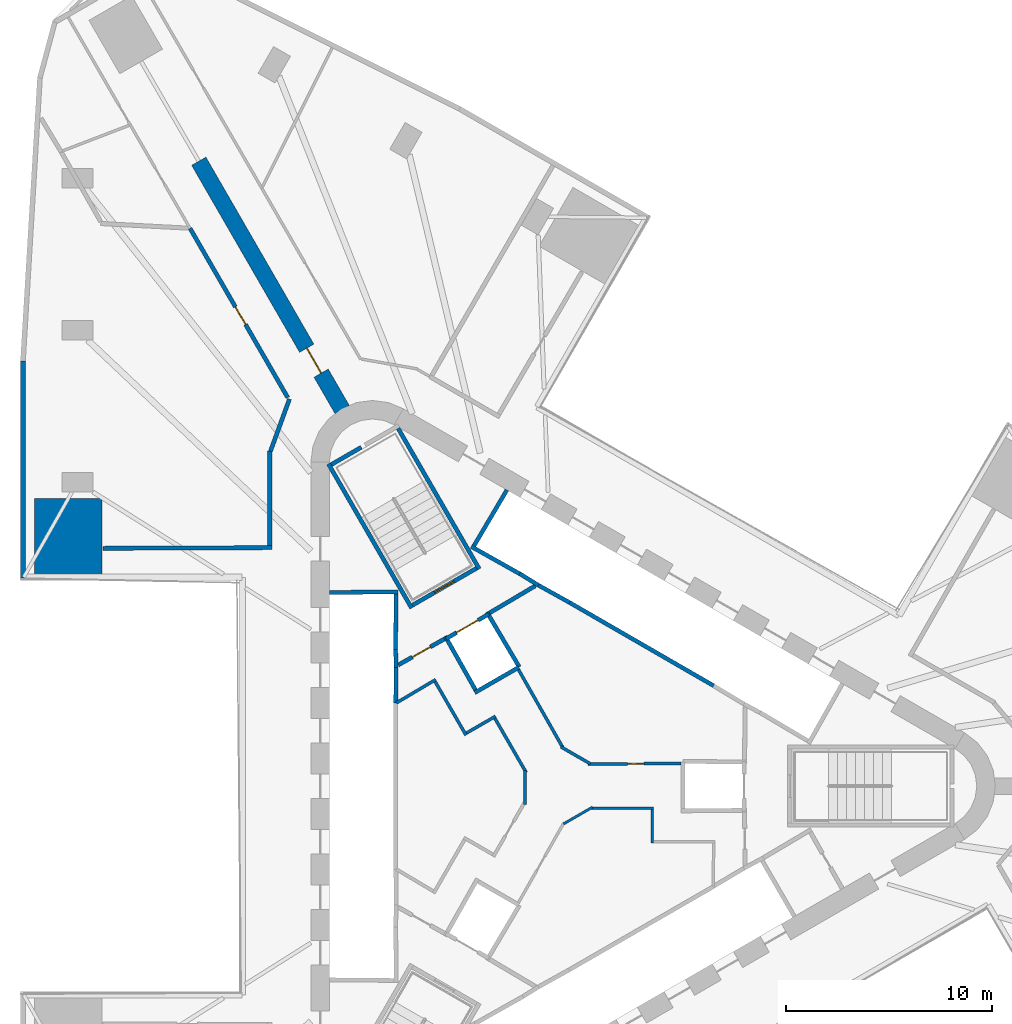
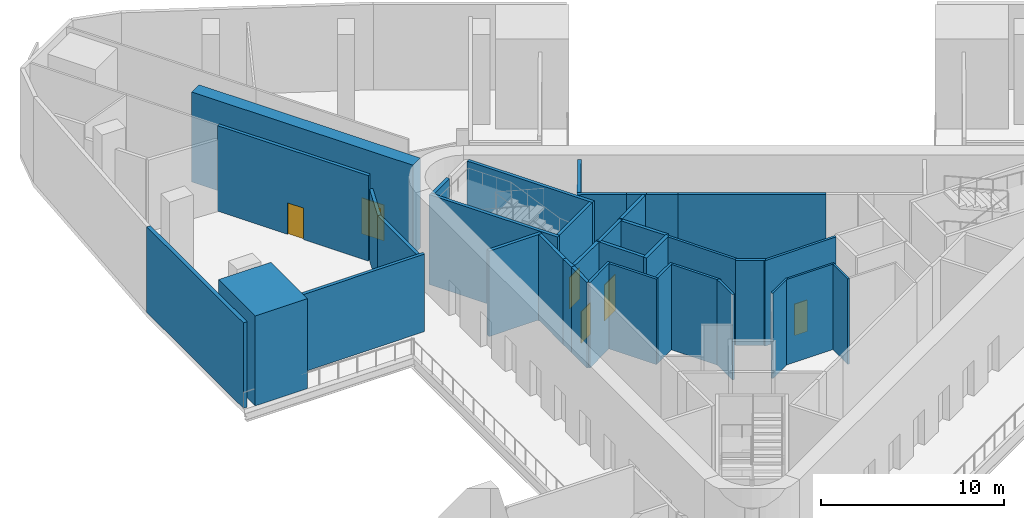
# One storey, part 5 of 11: 37 walls, 6 doors, 6 openings.
"""IFC4 building model written with IfcOpenShell, lengths in metres."""

from ifc_helpers import new_model, si_unit, direction, frame, frame_2d, origin, place, context, subcontext, project, spatial, polyline, rectangle, outline, extrude, material, layer, layer_set, type_object, element, fill, save


model = new_model("IFC4")

# Units and contexts
model_context = context("Model", 3, precision=1e-05, world=origin(), true_north=direction((0.0, 1.0)))
body_context = subcontext(model_context, "Body", "Model", "MODEL_VIEW")
ifc_project = project(units=[si_unit("LENGTHUNIT", "METRE"), si_unit("AREAUNIT", "SQUARE_METRE"), si_unit("VOLUMEUNIT", "CUBIC_METRE"), si_unit("PLANEANGLEUNIT", "RADIAN"), si_unit("MASSUNIT", "GRAM", prefix="KILO")], contexts=[model_context])

# Site, building, storey
site_placement = place(None, origin())
site = spatial("IfcSite", under=ifc_project, at=site_placement, CompositionType="ELEMENT")
building_placement = place(site_placement, origin())
building = spatial("IfcBuilding", under=site, at=building_placement, Name="Tanit Gate Tower", CompositionType="ELEMENT")
storey_placement = place(building_placement, frame((0.0, 0.0, 27.5)))
storey = spatial("IfcBuildingStorey", under=building, at=storey_placement, Name="L04", CompositionType="ELEMENT", Elevation=27.5)

# Wall, opening, door
ifc_material_1 = material(Name="Concrete C60/75", Category="concrete")
ifc_layer_1 = layer(ifc_material_1, 0.800048828125)
ifc_layer_set_1 = layer_set([ifc_layer_1], Name="BUTTRESS FIN 800 C60/75")
wall_type_1 = type_object("IfcWallType", Name="BUTTRESS FIN 800 C60/75", PredefinedType="SHEAR", material=ifc_layer_set_1)
wall_1_placement = place(storey_placement, frame((-10.574951171875, 18.31640625, 0.0), z_axis=(0.0, 0.0, 1.0), x_axis=(-0.499996575515, 0.866027380903, 0.0)))
wall_1 = element("IfcWall", 1, at=wall_1_placement, inside=storey, type_object=wall_type_1, Name="BUTTRESS FIN", PredefinedType="SHEAR", context=body_context, shape_type="SweptSolid", body=[
    extrude(rectangle(XDim=13.9541015625, YDim=0.800048828125, at=frame_2d((6.97705078125, 0.0))), origin(), (0.0, 0.0, 1.0), 6.0),
])
opening_1_placement = place(wall_1_placement, frame((2.050048828125, 0.0, 0.0)))
opening_1 = element("IfcOpeningElement", 2, at=opening_1_placement, cuts=wall_1, Name="Opening P14-04-F-NW-1", PredefinedType="OPENING", context=body_context, shape_type="SweptSolid", body=[
    extrude(rectangle(XDim=1.39990234375, YDim=2.39990234375, at=frame_2d((0.699951171875, 1.199951171875))), frame((0.0, 0.41015625, 0.0), z_axis=(0.0, -1.0, 0.0), x_axis=(1.0, 0.0, 0.0)), (0.0, 0.0, 1.0), 0.820068359375),
])
ifc_material_2 = material(Name="Timber door leaf", Category="wood")
door_type_1 = type_object("IfcDoorType", Name="INT-DOOR-FIN-PAIR-1400", OperationType="NOTDEFINED", PredefinedType="NOTDEFINED", material=ifc_material_2)
door_1_placement = place(opening_1_placement, origin())
door_1 = element("IfcDoor", 3, at=door_1_placement, inside=storey, type_object=door_type_1, Name="Door P14-04-F-NW-1", OperationType="DOUBLE_DOOR_SINGLE_SWING", OverallHeight=2.39990234375, OverallWidth=1.39990234375, PredefinedType="NOTDEFINED", context=body_context, shape_type="SweptSolid", body=[
    extrude(rectangle(XDim=1.39990234375, YDim=2.39990234375, at=frame_2d((0.699951171875, 1.199951171875))), frame((0.0, 0.02490234375, 0.0), z_axis=(0.0, -1.0, 0.0), x_axis=(1.0, 0.0, 0.0)), (0.0, 0.0, 1.0), 0.050048828125),
])
fill(opening_1, door_1)

# Walls
ifc_material_3 = material(Name="Concrete C30/37 with bronze anodised aluminium cladding", Category="concrete")
ifc_layer_2 = layer(ifc_material_3, 0.239990234375)
ifc_layer_set_2 = layer_set([ifc_layer_2], Name="Facade wall bronze clad 240")
wall_type_2 = type_object("IfcWallType", Name="Facade wall bronze clad 240", PredefinedType="SOLIDWALL", material=ifc_layer_set_2)
wall_2_placement = place(storey_placement, frame((-26.10986328125, 20.685302734375, 0.0), z_axis=(0.0, 0.0, 1.0), x_axis=(6.9319284e-05, -0.999999997597, 0.0)))
element("IfcWall", 4, at=wall_2_placement, inside=storey, type_object=wall_type_2, Name="Bronze-clad facade wall L04 W2a", PredefinedType="SOLIDWALL", context=body_context, shape_type="SweptSolid", body=[
    extrude(rectangle(XDim=10.56591796875, YDim=0.239990234375, at=frame_2d((5.282958984375, 0.0))), origin(), (0.0, 0.0, 1.0), 5.699951171875),
])
ifc_material_4 = material(Name="Fire-rated gypsum board partition")
ifc_layer_3 = layer(ifc_material_4, 0.199951171875)
ifc_layer_set_3 = layer_set([ifc_layer_3], Name="INT-WALL-COMPARTMENT")
wall_type_3 = type_object("IfcWallType", Name="INT-WALL-COMPARTMENT", PredefinedType="PARTITIONING", material=ifc_layer_set_3)
wall_3_placement = place(storey_placement, frame((-1.1796875, 9.744384765625, 0.0), z_axis=(0.0, 0.0, 1.0), x_axis=(-0.860615607571, -0.509255118781, 0.0)))
element("IfcWall", 5, at=wall_3_placement, inside=storey, type_object=wall_type_3, Name="Wall Compartment W064", PredefinedType="PARTITIONING", context=body_context, shape_type="SweptSolid", body=[
    extrude(rectangle(XDim=2.58056640625, YDim=0.199951171875, at=frame_2d((1.290283203125, 0.0))), origin(), (0.0, 0.0, 1.0), 5.699951171875),
])

# Wall, opening, door
wall_4_placement = place(storey_placement, frame((-5.600341796875, 7.16015625, 0.0), z_axis=(0.0, 0.0, 1.0), x_axis=(-0.871363259478, -0.490638431059, 0.0)))
wall_4 = element("IfcWall", 6, at=wall_4_placement, inside=storey, type_object=wall_type_3, Name="Wall Compartment W065", PredefinedType="PARTITIONING", context=body_context, shape_type="SweptSolid", body=[
    extrude(rectangle(XDim=2.5810546875, YDim=0.199951171875, at=frame_2d((1.29052734375, 0.0))), origin(), (0.0, 0.0, 1.0), 5.699951171875),
])
opening_2_placement = place(wall_4_placement, frame((0.79052734375, 0.0, 0.0)))
opening_2 = element("IfcOpeningElement", 7, at=opening_2_placement, cuts=wall_4, Name="Opening F10-04-05", PredefinedType="OPENING", context=body_context, shape_type="SweptSolid", body=[
    extrude(rectangle(XDim=1.0, YDim=2.10009765625, at=frame_2d((0.5, 1.050048828125))), frame((0.0, 0.10986328125, 0.0), z_axis=(0.0, -1.0, 0.0), x_axis=(1.0, 0.0, 0.0)), (0.0, 0.0, 1.0), 0.219970703125),
])
ifc_material_5 = material(Name="Fire-rated steel door leaf", Category="steel")
door_type_2 = type_object("IfcDoorType", Name="INT-DOOR-FIRE-1000", OperationType="NOTDEFINED", PredefinedType="USERDEFINED", material=ifc_material_5)
door_2_placement = place(opening_2_placement, origin())
door_2 = element("IfcDoor", 8, at=door_2_placement, inside=storey, type_object=door_type_2, Name="Door F10-04-05", ObjectType="FIRE DOOR", OperationType="SINGLE_SWING_LEFT", OverallHeight=2.10009765625, OverallWidth=1.0, PredefinedType="USERDEFINED", context=body_context, shape_type="SweptSolid", body=[
    extrude(rectangle(XDim=1.0, YDim=2.10009765625, at=frame_2d((0.5, 1.050048828125))), frame((0.0, 0.02490234375, 0.0), z_axis=(0.0, -1.0, 0.0), x_axis=(1.0, 0.0, 0.0)), (0.0, 0.0, 1.0), 0.050048828125),
])
fill(opening_2, door_2)

# Walls
wall_5_placement = place(storey_placement, frame((-14.0, 11.601806640625, 0.0), z_axis=(0.0, 0.0, 1.0), x_axis=(-0.999992515765, -0.003868903516, 0.0)))
element("IfcWall", 9, at=wall_5_placement, inside=storey, type_object=wall_type_3, Name="Wall Compartment W089", PredefinedType="PARTITIONING", context=body_context, shape_type="SweptSolid", body=[
    extrude(rectangle(XDim=8.203369140625, YDim=0.199951171875, at=frame_2d((4.1015625, 0.0))), origin(), (0.0, 0.0, 1.0), 5.169921875),
])
wall_6_placement = place(storey_placement, frame((-14.10009765625, 16.293701171875, 0.0), z_axis=(0.0, 0.0, 1.0), x_axis=(0.0, -1.0, 0.0)))
element("IfcWall", 10, at=wall_6_placement, inside=storey, type_object=wall_type_3, Name="Wall Compartment W090", PredefinedType="PARTITIONING", context=body_context, shape_type="SweptSolid", body=[
    extrude(rectangle(XDim=4.59228515625, YDim=0.199951171875, at=frame_2d((2.296142578125, 0.0))), origin(), (0.0, 0.0, 1.0), 4.8798828125),
])
wall_7_placement = place(storey_placement, frame((-13.140380859375, 18.8310546875, 0.0), z_axis=(0.0, 0.0, 1.0), x_axis=(-0.34195308529, -0.939717025205, 0.0)))
element("IfcWall", 11, at=wall_7_placement, inside=storey, type_object=wall_type_3, Name="Wall Compartment W091", PredefinedType="PARTITIONING", context=body_context, shape_type="SweptSolid", body=[
    extrude(rectangle(XDim=2.70654296875, YDim=0.199951171875, at=frame_2d((1.353271484375, 0.0))), origin(), (0.0, 0.0, 1.0), 4.780029296875),
])

# Wall, opening, door
wall_8_placement = place(storey_placement, frame((-13.2216796875, 18.900390625, 0.0), z_axis=(0.0, 0.0, 1.0), x_axis=(-0.499993569446, 0.866029116435, 0.0)))
wall_8 = element("IfcWall", 12, at=wall_8_placement, inside=storey, type_object=wall_type_3, Name="Wall Compartment W092", PredefinedType="PARTITIONING", context=body_context, shape_type="SweptSolid", body=[
    extrude(rectangle(XDim=9.510009765625, YDim=0.199951171875, at=frame_2d((4.7548828125, 0.0))), origin(), (0.0, 0.0, 1.0), 5.699951171875),
])
opening_3_placement = place(wall_8_placement, frame((4.099609375, 0.0, 0.0)))
opening_3 = element("IfcOpeningElement", 13, at=opening_3_placement, cuts=wall_8, Name="Opening F10-04-16", PredefinedType="OPENING", context=body_context, shape_type="SweptSolid", body=[
    extrude(rectangle(XDim=1.0, YDim=2.10009765625, at=frame_2d((0.5, 1.050048828125))), frame((0.0, 0.10986328125, 0.0), z_axis=(0.0, -1.0, 0.0), x_axis=(1.0, 0.0, 0.0)), (0.0, 0.0, 1.0), 0.219970703125),
])
door_3_placement = place(opening_3_placement, origin())
door_3 = element("IfcDoor", 14, at=door_3_placement, inside=storey, type_object=door_type_2, Name="Door F10-04-16", ObjectType="FIRE DOOR", OperationType="SINGLE_SWING_RIGHT", OverallHeight=2.10009765625, OverallWidth=1.0, PredefinedType="USERDEFINED", context=body_context, shape_type="SweptSolid", body=[
    extrude(rectangle(XDim=1.0, YDim=2.10009765625, at=frame_2d((0.5, 1.050048828125))), frame((0.0, 0.02490234375, 0.0), z_axis=(0.0, -1.0, 0.0), x_axis=(1.0, 0.0, 0.0)), (0.0, 0.0, 1.0), 0.050048828125),
])
fill(opening_3, door_3)

# Walls
ifc_material_6 = material(Name="Gypsum board partition")
ifc_layer_4 = layer(ifc_material_6, 0.1201171875)
ifc_layer_set_4 = layer_set([ifc_layer_4], Name="INT-WALL-PARTITION")
wall_type_4 = type_object("IfcWallType", Name="INT-WALL-PARTITION", PredefinedType="PARTITIONING", material=ifc_layer_set_4)
wall_9_placement = place(storey_placement, frame((1.60546875, -1.02294921875, 0.0), z_axis=(0.0, 0.0, 1.0), x_axis=(-0.866001581989, -0.50004125829, 0.0)))
element("IfcWall", 15, at=wall_9_placement, inside=storey, type_object=wall_type_4, Name="Wall Partition W072", PredefinedType="PARTITIONING", context=body_context, shape_type="SweptSolid", body=[
    extrude(rectangle(XDim=1.635009765625, YDim=0.1201171875, at=frame_2d((0.8173828125, 0.0))), origin(), (0.0, 0.0, 1.0), 5.699951171875),
])
wall_10_placement = place(storey_placement, frame((4.56005859375, -1.074951171875, 0.0), z_axis=(0.0, 0.0, 1.0), x_axis=(-1.0, 0.0, 0.0)))
element("IfcWall", 16, at=wall_10_placement, inside=storey, type_object=wall_type_4, Name="Wall Partition W073", PredefinedType="PARTITIONING", context=body_context, shape_type="SweptSolid", body=[
    extrude(rectangle(XDim=3.02587890625, YDim=0.1201171875, at=frame_2d((1.512939453125, 0.0))), origin(), (0.0, 0.0, 1.0), 5.699951171875),
])
wall_11_placement = place(storey_placement, frame((4.5, -2.760009765625, 0.0), z_axis=(0.0, 0.0, 1.0), x_axis=(0.0, 1.0, 0.0)))
element("IfcWall", 17, at=wall_11_placement, inside=storey, type_object=wall_type_4, Name="Wall Partition W074", PredefinedType="PARTITIONING", context=body_context, shape_type="SweptSolid", body=[
    extrude(rectangle(XDim=1.625, YDim=0.1201171875, at=frame_2d((0.8125, 0.0))), origin(), (0.0, 0.0, 1.0), 5.699951171875),
])

# Wall, opening, door
ifc_material_7 = material(Name="Fire-rated gypsum board partition")
ifc_layer_5 = layer(ifc_material_7, 0.14990234375)
ifc_layer_set_5 = layer_set([ifc_layer_5], Name="INT-WALL-RISER")
wall_type_5 = type_object("IfcWallType", Name="INT-WALL-RISER", PredefinedType="PLUMBINGWALL", material=ifc_layer_set_5)
wall_12_placement = place(storey_placement, frame((1.3876953125, 1.07421875, 0.0), z_axis=(0.0, 0.0, 1.0), x_axis=(0.99997856967, 0.006546770205, 0.0)))
wall_12 = element("IfcWall", 18, at=wall_12_placement, inside=storey, type_object=wall_type_5, Name="Wall Riser W068", PredefinedType="PLUMBINGWALL", context=body_context, shape_type="SweptSolid", body=[
    extrude(rectangle(XDim=4.51220703125, YDim=0.14990234375, at=frame_2d((2.256103515625, 0.0))), origin(), (0.0, 0.0, 1.0), 5.699951171875),
])
opening_4_placement = place(wall_12_placement, frame((1.920166015625, 0.0, 0.0)))
opening_4 = element("IfcOpeningElement", 19, at=opening_4_placement, cuts=wall_12, Name="Opening R08-04-10", PredefinedType="OPENING", context=body_context, shape_type="SweptSolid", body=[
    extrude(rectangle(XDim=0.800048828125, YDim=2.10009765625, at=frame_2d((0.39990234375, 1.050048828125))), frame((0.0, 0.0849609375, 0.0), z_axis=(0.0, -1.0, 0.0), x_axis=(1.0, 0.0, 0.0)), (0.0, 0.0, 1.0), 0.169921875),
])
ifc_material_8 = material(Name="Timber door leaf", Category="wood")
door_type_3 = type_object("IfcDoorType", Name="INT-DOOR-RISER-800", OperationType="NOTDEFINED", PredefinedType="USERDEFINED", material=ifc_material_8)
door_4_placement = place(opening_4_placement, origin())
door_4 = element("IfcDoor", 20, at=door_4_placement, inside=storey, type_object=door_type_3, Name="Door R08-04-10", ObjectType="FIRE DOOR", OperationType="SINGLE_SWING_LEFT", OverallHeight=2.10009765625, OverallWidth=0.800048828125, PredefinedType="USERDEFINED", context=body_context, shape_type="SweptSolid", body=[
    extrude(rectangle(XDim=0.800048828125, YDim=2.10009765625, at=frame_2d((0.39990234375, 1.050048828125))), frame((0.0, 0.02490234375, 0.0), z_axis=(0.0, -1.0, 0.0), x_axis=(1.0, 0.0, 0.0)), (0.0, 0.0, 1.0), 0.050048828125),
])
fill(opening_4, door_4)

# Walls
wall_13_placement = place(storey_placement, frame((0.0625, 1.9140625, 0.0), z_axis=(0.0, 0.0, 1.0), x_axis=(0.866018462269, -0.500012022864, 0.0)))
element("IfcWall", 21, at=wall_13_placement, inside=storey, type_object=wall_type_5, Name="Wall Riser W069", PredefinedType="PLUMBINGWALL", context=body_context, shape_type="SweptSolid", body=[
    extrude(rectangle(XDim=1.654296875, YDim=0.14990234375, at=frame_2d((0.8271484375, 0.0))), origin(), (0.0, 0.0, 1.0), 5.699951171875),
])
wall_14_placement = place(storey_placement, frame((-1.994140625, 5.661376953125, 0.0), z_axis=(0.0, 0.0, 1.0), x_axis=(0.494341211302, -0.869267948798, 0.0)))
element("IfcWall", 22, at=wall_14_placement, inside=storey, type_object=wall_type_5, Name="Wall Riser W070", PredefinedType="PLUMBINGWALL", context=body_context, shape_type="SweptSolid", body=[
    extrude(rectangle(XDim=4.36083984375, YDim=0.14990234375, at=frame_2d((2.180419921875, 0.0))), origin(), (0.0, 0.0, 1.0), 5.699951171875),
])
wall_15_placement = place(storey_placement, frame((-6.023681640625, 5.183349609375, 0.0), z_axis=(0.0, 0.0, 1.0), x_axis=(-0.860126804455, -0.510080268447, 0.0)))
element("IfcWall", 23, at=wall_15_placement, inside=storey, type_object=wall_type_5, Name="Wall Riser W077", PredefinedType="PLUMBINGWALL", context=body_context, shape_type="SweptSolid", body=[
    extrude(rectangle(XDim=2.239501953125, YDim=0.14990234375, at=frame_2d((1.11962890625, 0.0))), origin(), (0.0, 0.0, 1.0), 5.699951171875),
])
wall_16_placement = place(storey_placement, frame((-4.55078125, 2.482177734375, 0.0), z_axis=(0.0, 0.0, 1.0), x_axis=(-0.499990139034, 0.866031096941, 0.0)))
element("IfcWall", 24, at=wall_16_placement, inside=storey, type_object=wall_type_5, Name="Wall Riser W078", PredefinedType="PLUMBINGWALL", context=body_context, shape_type="SweptSolid", body=[
    extrude(rectangle(XDim=3.0, YDim=0.14990234375, at=frame_2d((1.5, 0.0))), origin(), (0.0, 0.0, 1.0), 5.699951171875),
])
wall_17_placement = place(storey_placement, frame((-3.115966796875, 3.397216796875, 0.0), z_axis=(0.0, 0.0, 1.0), x_axis=(-0.866053003207, -0.499952193351, 0.0)))
element("IfcWall", 25, at=wall_17_placement, inside=storey, type_object=wall_type_5, Name="Wall Riser W079", PredefinedType="PLUMBINGWALL", context=body_context, shape_type="SweptSolid", body=[
    extrude(rectangle(XDim=1.625244140625, YDim=0.14990234375, at=frame_2d((0.8125, 0.0))), origin(), (0.0, 0.0, 1.0), 5.699951171875),
])
wall_18_placement = place(storey_placement, frame((-1.623779296875, 0.66259765625, 0.0), z_axis=(0.0, 0.0, 1.0), x_axis=(-0.500035348339, 0.866004994449, 0.0)))
element("IfcWall", 26, at=wall_18_placement, inside=storey, type_object=wall_type_5, Name="Wall Riser W080", PredefinedType="PLUMBINGWALL", context=body_context, shape_type="SweptSolid", body=[
    extrude(rectangle(XDim=3.039306640625, YDim=0.14990234375, at=frame_2d((1.51953125, 0.0))), origin(), (0.0, 0.0, 1.0), 5.699951171875),
])
wall_19_placement = place(storey_placement, frame((-1.688720703125, -0.90478515625, 0.0), z_axis=(0.0, 0.0, 1.0), x_axis=(0.0, 1.0, 0.0)))
element("IfcWall", 27, at=wall_19_placement, inside=storey, type_object=wall_type_5, Name="Wall Riser W081", PredefinedType="PLUMBINGWALL", context=body_context, shape_type="SweptSolid", body=[
    extrude(rectangle(XDim=1.656494140625, YDim=0.14990234375, at=frame_2d((0.828125, 0.0))), origin(), (0.0, 0.0, 1.0), 5.699951171875),
])
ifc_material_9 = material(Name="Gypsum shaft wall system")
ifc_layer_6 = layer(ifc_material_9, 0.199951171875)
ifc_layer_set_6 = layer_set([ifc_layer_6], Name="INT-WALL-SHAFT")
wall_type_6 = type_object("IfcWallType", Name="INT-WALL-SHAFT", PredefinedType="PLUMBINGWALL", material=ifc_layer_set_6)
wall_20_placement = place(storey_placement, frame((-11.199951171875, 9.419921875, 0.0), z_axis=(0.0, 0.0, 1.0), x_axis=(0.999957167047, 0.009255488683, 0.0)))
element("IfcWall", 28, at=wall_20_placement, inside=storey, type_object=wall_type_6, Name="Wall Shaft W001", PredefinedType="PLUMBINGWALL", context=body_context, shape_type="SweptSolid", body=[
    extrude(rectangle(XDim=3.35009765625, YDim=0.199951171875, at=frame_2d((1.675048828125, 0.0))), origin(), (0.0, 0.0, 1.0), 5.699951171875),
])
wall_21_placement = place(storey_placement, frame((-7.951171875, 9.35009765625, 0.0), z_axis=(0.0, 0.0, 1.0), x_axis=(-0.011120469654, -0.999938165666, 0.0)))
element("IfcWall", 29, at=wall_21_placement, inside=storey, type_object=wall_type_6, Name="Wall Shaft W002", PredefinedType="PLUMBINGWALL", context=body_context, shape_type="SweptSolid", body=[
    extrude(rectangle(XDim=2.700439453125, YDim=0.199951171875, at=frame_2d((1.35009765625, 0.0))), origin(), (0.0, 0.0, 1.0), 5.699951171875),
])
wall_22_placement = place(storey_placement, frame((7.497314453125, 4.885986328125, 0.0), z_axis=(0.0, 0.0, 1.0), x_axis=(-0.866030989016, 0.499990325971, 0.0)))
element("IfcWall", 30, at=wall_22_placement, inside=storey, type_object=wall_type_6, Name="Wall Shaft W003", PredefinedType="PLUMBINGWALL", context=body_context, shape_type="SweptSolid", body=[
    extrude(rectangle(XDim=8.099853515625, YDim=0.199951171875, at=frame_2d((4.0498046875, 0.0))), origin(), (0.0, 0.0, 1.0), 5.699951171875),
])
wall_23_placement = place(storey_placement, frame((-7.97705078125, 6.650146484375, 0.0), z_axis=(0.0, 0.0, 1.0), x_axis=(0.030861509705, -0.999523670164, 0.0)))
element("IfcWall", 31, at=wall_23_placement, inside=storey, type_object=wall_type_6, Name="Wall Shaft W004", PredefinedType="PLUMBINGWALL", context=body_context, shape_type="SweptSolid", body=[
    extrude(rectangle(XDim=0.878173828125, YDim=0.199951171875, at=frame_2d((0.43896484375, 0.0))), origin(), (0.0, 0.0, 1.0), 5.699951171875),
])
wall_24_placement = place(storey_placement, frame((-7.94921875, 5.894775390625, 0.0), z_axis=(0.0, 0.0, 1.0), x_axis=(-0.012042535896, -0.999927486035, 0.0)))
element("IfcWall", 32, at=wall_24_placement, inside=storey, type_object=wall_type_6, Name="Wall Shaft W005", PredefinedType="PLUMBINGWALL", context=body_context, shape_type="SweptSolid", body=[
    extrude(rectangle(XDim=1.844970703125, YDim=0.199951171875, at=frame_2d((0.92236328125, 0.0))), origin(), (0.0, 0.0, 1.0), 5.699951171875),
])
wall_25_placement = place(storey_placement, frame((-1.940673828125, 10.338623046875, 0.0), z_axis=(0.0, 0.0, 1.0), x_axis=(0.850216889117, -0.526432561171, 0.0)))
element("IfcWall", 33, at=wall_25_placement, inside=storey, type_object=wall_type_6, Name="Wall Shaft W019", PredefinedType="PLUMBINGWALL", context=body_context, shape_type="SweptSolid", body=[
    extrude(rectangle(XDim=1.078369140625, YDim=0.199951171875, at=frame_2d((0.5390625, 0.0))), origin(), (0.0, 0.0, 1.0), 5.699951171875),
])
wall_26_placement = place(storey_placement, frame((0.482666015625, 8.935791015625, 0.0), z_axis=(0.0, 0.0, 1.0), x_axis=(-0.874269620932, 0.485440655401, 0.0)))
element("IfcWall", 34, at=wall_26_placement, inside=storey, type_object=wall_type_6, Name="Wall Shaft W020", PredefinedType="PLUMBINGWALL", context=body_context, shape_type="SweptSolid", body=[
    extrude(rectangle(XDim=1.8447265625, YDim=0.199951171875, at=frame_2d((0.92236328125, 0.0))), origin(), (0.0, 0.0, 1.0), 5.699951171875),
])
wall_27_placement = place(storey_placement, frame((-4.296142578125, 11.658935546875, 0.0), z_axis=(0.0, 0.0, 1.0), x_axis=(0.871534483978, -0.490334215854, 0.0)))
element("IfcWall", 35, at=wall_27_placement, inside=storey, type_object=wall_type_6, Name="Wall Shaft W021", PredefinedType="PLUMBINGWALL", context=body_context, shape_type="SweptSolid", body=[
    extrude(rectangle(XDim=2.7001953125, YDim=0.199951171875, at=frame_2d((1.35009765625, 0.0))), origin(), (0.0, 0.0, 1.0), 5.699951171875),
])
wall_28_placement = place(storey_placement, frame((-4.158203125, 11.696044921875, 0.0), z_axis=(0.0, 0.0, 1.0), x_axis=(0.508018930956, 0.861345903683, 0.0)))
element("IfcWall", 36, at=wall_28_placement, inside=storey, type_object=wall_type_6, Name="Wall Shaft W022", PredefinedType="PLUMBINGWALL", context=body_context, shape_type="SweptSolid", body=[
    extrude(rectangle(XDim=3.150146484375, YDim=0.199951171875, at=frame_2d((1.5751953125, 0.0))), origin(), (0.0, 0.0, 1.0), 5.699951171875),
])

# Wall, opening, door
wall_29_placement = place(storey_placement, frame((-5.524169921875, 7.168212890625, 0.0), z_axis=(0.0, 0.0, 1.0), x_axis=(0.866024647952, 0.500001309137, 0.0)))
wall_29 = element("IfcWall", 37, at=wall_29_placement, inside=storey, type_object=wall_type_6, Name="Wall Shaft W047", PredefinedType="PLUMBINGWALL", context=body_context, shape_type="SweptSolid", body=[
    extrude(rectangle(XDim=2.39990234375, YDim=0.199951171875, at=frame_2d((1.199951171875, 0.0))), origin(), (0.0, 0.0, 1.0), 5.699951171875),
])
opening_5_placement = place(wall_29_placement, frame((0.60009765625, 0.0, 0.0)))
opening_5 = element("IfcOpeningElement", 38, at=opening_5_placement, cuts=wall_29, Name="Opening LDFL2-L04", PredefinedType="OPENING", context=body_context, shape_type="SweptSolid", body=[
    extrude(rectangle(XDim=1.199951171875, YDim=2.39990234375, at=frame_2d((0.60009765625, 1.199951171875))), frame((0.0, 0.10986328125, 0.0), z_axis=(0.0, -1.0, 0.0), x_axis=(1.0, 0.0, 0.0)), (0.0, 0.0, 1.0), 0.219970703125),
])
ifc_material_10 = material(Name="Stainless steel sliding door leaf", Category="steel")
door_type_4 = type_object("IfcDoorType", Name="INT-DOOR-LANDING-1200", OperationType="NOTDEFINED", PredefinedType="USERDEFINED", material=ifc_material_10)
door_5_placement = place(opening_5_placement, origin())
door_5 = element("IfcDoor", 39, at=door_5_placement, inside=storey, type_object=door_type_4, Name="Door LDFL2-L04", ObjectType="LANDING DOOR", OperationType="SLIDING_TO_LEFT", OverallHeight=2.39990234375, OverallWidth=1.199951171875, PredefinedType="USERDEFINED", context=body_context, shape_type="SweptSolid", body=[
    extrude(rectangle(XDim=1.199951171875, YDim=2.39990234375, at=frame_2d((0.60009765625, 1.199951171875))), frame((0.0, 0.02490234375, 0.0), z_axis=(0.0, -1.0, 0.0), x_axis=(1.0, 0.0, 0.0)), (0.0, 0.0, 1.0), 0.050048828125),
])
fill(opening_5, door_5)

# Walls
wall_30_placement = place(storey_placement, frame((-3.53759765625, 8.46533203125, 0.0), z_axis=(0.0, 0.0, 1.0), x_axis=(0.508647062354, -0.860975125052, 0.0)))
element("IfcWall", 40, at=wall_30_placement, inside=storey, type_object=wall_type_6, Name="Wall Shaft W048", PredefinedType="PLUMBINGWALL", context=body_context, shape_type="SweptSolid", body=[
    extrude(rectangle(XDim=3.10009765625, YDim=0.199951171875, at=frame_2d((1.550048828125, 0.0))), origin(), (0.0, 0.0, 1.0), 5.699951171875),
])
wall_31_placement = place(storey_placement, frame((-1.978515625, 5.785888671875, 0.0), z_axis=(0.0, 0.0, 1.0), x_axis=(-0.866016689309, -0.500015093611, 0.0)))
element("IfcWall", 41, at=wall_31_placement, inside=storey, type_object=wall_type_6, Name="Wall Shaft W049", PredefinedType="PLUMBINGWALL", context=body_context, shape_type="SweptSolid", body=[
    extrude(rectangle(XDim=2.4794921875, YDim=0.199951171875, at=frame_2d((1.23974609375, 0.0))), origin(), (0.0, 0.0, 1.0), 5.699951171875),
])
wall_32_placement = place(storey_placement, frame((-5.5625, 7.29638671875, 0.0), z_axis=(0.0, 0.0, 1.0), x_axis=(0.49134651263, -0.870964180966, 0.0)))
element("IfcWall", 42, at=wall_32_placement, inside=storey, type_object=wall_type_6, Name="Wall Shaft W050", PredefinedType="PLUMBINGWALL", context=body_context, shape_type="SweptSolid", body=[
    extrude(rectangle(XDim=3.000244140625, YDim=0.199951171875, at=frame_2d((1.5, 0.0))), origin(), (0.0, 0.0, 1.0), 5.699951171875),
])
ifc_material_11 = material(Name="Concrete C40/50", Category="concrete")
ifc_layer_7 = layer(ifc_material_11, 0.199951171875)
ifc_layer_set_7 = layer_set([ifc_layer_7], Name="INT-WALL-STAIR")
wall_type_7 = type_object("IfcWallType", Name="INT-WALL-STAIR", PredefinedType="SHEAR", material=ifc_layer_set_7)
wall_33_placement = place(storey_placement, frame((-11.245361328125, 15.677734375, -0.300048828125), z_axis=(0.0, 0.0, 1.0), x_axis=(0.499977274689, -0.866038523851, 0.0)))
element("IfcWall", 43, at=wall_33_placement, inside=storey, type_object=wall_type_7, Name="Wall Stair W042", PredefinedType="SHEAR", context=body_context, shape_type="SweptSolid", body=[
    extrude(rectangle(XDim=8.10009765625, YDim=0.199951171875, at=frame_2d((4.050048828125, 0.0))), origin(), (0.0, 0.0, 1.0), 6.0),
])
wall_34_placement = place(storey_placement, frame((-9.645263671875, 16.486083984375, -0.300048828125), z_axis=(0.0, 0.0, 1.0), x_axis=(-0.866038843867, -0.499976720371, 0.0)))
element("IfcWall", 44, at=wall_34_placement, inside=storey, type_object=wall_type_7, Name="Wall Stair W043", PredefinedType="SHEAR", context=body_context, shape_type="SweptSolid", body=[
    extrude(rectangle(XDim=1.68994140625, YDim=0.199951171875, at=frame_2d((0.844970703125, 0.0))), origin(), (0.0, 0.0, 1.0), 6.0),
])
wall_35_placement = place(storey_placement, frame((-7.8544921875, 17.404541015625, -0.300048828125), z_axis=(0.0, 0.0, 1.0), x_axis=(0.499997992926, -0.866026562566, 0.0)))
element("IfcWall", 45, at=wall_35_placement, inside=storey, type_object=wall_type_7, Name="Wall Stair W045", PredefinedType="SHEAR", context=body_context, shape_type="SweptSolid", body=[
    extrude(rectangle(XDim=7.89990234375, YDim=0.199951171875, at=frame_2d((3.949951171875, 0.0))), origin(), (0.0, 0.0, 1.0), 6.0),
])

# Wall, opening, door
wall_36_placement = place(storey_placement, frame((-7.158935546875, 8.799560546875, -0.300048828125), z_axis=(0.0, 0.0, 1.0), x_axis=(0.866047807691, 0.499961193289, 0.0)))
wall_36 = element("IfcWall", 46, at=wall_36_placement, inside=storey, type_object=wall_type_7, Name="Wall Stair W046", PredefinedType="SHEAR", context=body_context, shape_type="SweptSolid", body=[
    extrude(rectangle(XDim=3.599853515625, YDim=0.199951171875, at=frame_2d((1.7998046875, 0.0))), origin(), (0.0, 0.0, 1.0), 6.0),
])
opening_6_placement = place(wall_36_placement, frame((1.25, 0.0, 0.300048828125)))
opening_6 = element("IfcOpeningElement", 47, at=opening_6_placement, cuts=wall_36, Name="Opening S11-04-04", PredefinedType="OPENING", context=body_context, shape_type="SweptSolid", body=[
    extrude(rectangle(XDim=1.10009765625, YDim=2.10009765625, at=frame_2d((0.550048828125, 1.050048828125))), frame((0.0, 0.10986328125, 0.0), z_axis=(0.0, -1.0, 0.0), x_axis=(1.0, 0.0, 0.0)), (0.0, 0.0, 1.0), 0.219970703125),
])
ifc_material_12 = material(Name="Timber door leaf", Category="wood")
door_type_5 = type_object("IfcDoorType", Name="INT-DOOR-STAIR-1100", OperationType="NOTDEFINED", PredefinedType="USERDEFINED", material=ifc_material_12)
door_6_placement = place(opening_6_placement, origin())
door_6 = element("IfcDoor", 48, at=door_6_placement, inside=storey, type_object=door_type_5, Name="Door S11-04-04", ObjectType="FIRE DOOR", OperationType="SINGLE_SWING_LEFT", OverallHeight=2.10009765625, OverallWidth=1.10009765625, PredefinedType="USERDEFINED", context=body_context, shape_type="SweptSolid", body=[
    extrude(rectangle(XDim=1.10009765625, YDim=2.10009765625, at=frame_2d((0.550048828125, 1.050048828125))), frame((0.0, 0.02490234375, 0.0), z_axis=(0.0, -1.0, 0.0), x_axis=(1.0, 0.0, 0.0)), (0.0, 0.0, 1.0), 0.050048828125),
])
fill(opening_6, door_6)

# Wall
ifc_material_13 = material(Name="Concrete C60/75", Category="concrete")
ifc_layer_8 = layer(ifc_material_13, 4.0)
ifc_layer_set_8 = layer_set([ifc_layer_8], Name="PIER WALL 4000 C60/75")
wall_type_8 = type_object("IfcWallType", Name="PIER WALL 4000 C60/75", PredefinedType="SHEAR", material=ifc_layer_set_8)
wall_37_placement = place(storey_placement, origin())
element("IfcWall", 49, at=wall_37_placement, inside=storey, type_object=wall_type_8, Name="PIER WALL", PredefinedType="SHEAR", context=body_context, shape_type="SweptSolid", body=[
    extrude(outline(polyline([(-25.553466796875, 14.0), (-25.553466796875, 10.0), (-22.25341796875, 10.0), (-22.25341796875, 14.0), (-25.553466796875, 14.0)])), origin(), (0.0, 0.0, 1.0), 6.0),
])

save(model, "model.ifc")
